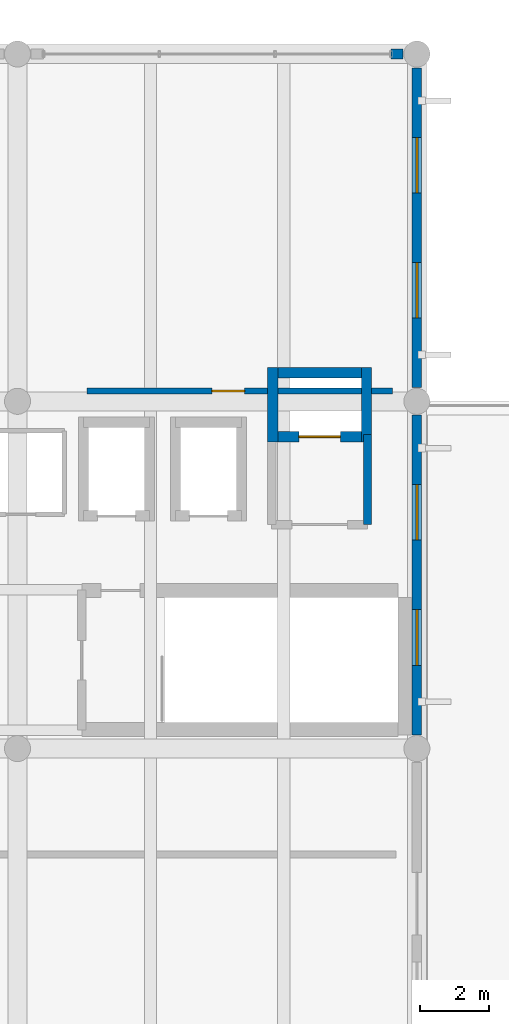
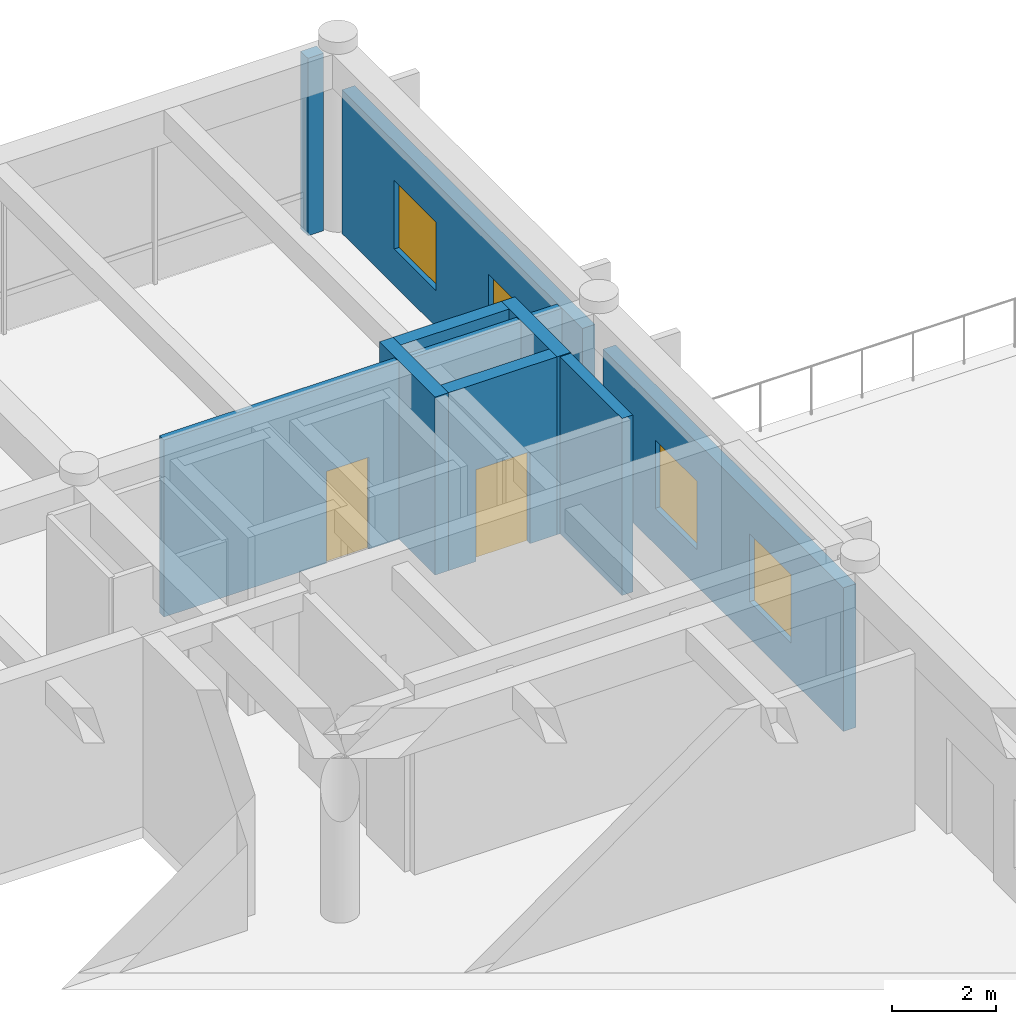
# One storey, part 24 of 27: 9 walls, 4 windows, 2 doors, 6 openings.
"""IFC4 building model written with IfcOpenShell, lengths in metres."""

from ifc_helpers import new_model, si_unit, direction, frame, frame_2d, origin, place, context, subcontext, project, spatial, rectangle, extrude, material, layer, layer_set, type_object, element, fill, save


model = new_model("IFC4")

# Units and contexts
model_context = context("Model", 3, precision=1e-05, world=origin(), true_north=direction((0.0, 1.0)))
body_context = subcontext(model_context, "Body", "Model", "MODEL_VIEW")
ifc_project = project(units=[si_unit("LENGTHUNIT", "METRE"), si_unit("AREAUNIT", "SQUARE_METRE"), si_unit("VOLUMEUNIT", "CUBIC_METRE"), si_unit("PLANEANGLEUNIT", "RADIAN"), si_unit("MASSUNIT", "GRAM", prefix="KILO")], contexts=[model_context])

# Site, building, storey
site_placement = place(None, origin())
site = spatial("IfcSite", under=ifc_project, at=site_placement, CompositionType="ELEMENT")
building_placement = place(site_placement, origin())
building = spatial("IfcBuilding", under=site, at=building_placement, Name="Ologun Quay Terminus", CompositionType="ELEMENT")
storey_placement = place(building_placement, frame((0.0, 0.0, 22.4599609375)))
storey = spatial("IfcBuildingStorey", under=building, at=storey_placement, Name="L05", CompositionType="ELEMENT", Elevation=22.4599609375)

# Wall, openings, windows
ifc_material_1 = material(Name="Concrete C40/50", Category="concrete")
ifc_layer_1 = layer(ifc_material_1, 0.280029296875)
ifc_layer_set_1 = layer_set([ifc_layer_1], Name="Concrete C40/50")
wall_type_1 = type_object("IfcWallType", Name="Courtyard Wing Spandrel Concrete Wall 280", PredefinedType="SOLIDWALL", material=ifc_layer_set_1)
wall_1_placement = place(storey_placement, frame((149.5, 95.195068359375, 0.0), z_axis=(0.0, 0.0, 1.0), x_axis=(0.0, 1.0, 0.0)))
wall_1 = element("IfcWall", 1, at=wall_1_placement, inside=storey, type_object=wall_type_1, Name="EW-02 Facade Wall WEW-EW-L05-5", PredefinedType="SOLIDWALL", context=body_context, shape_type="SweptSolid", body=[
    extrude(rectangle(XDim=9.2099609375, YDim=0.280029296875, at=frame_2d((4.60498046875, 0.0))), origin(), (0.0, 0.0, 1.0), 3.360107421875),
])
opening_1_placement = place(wall_1_placement, frame((2.00341796875, 0.0, 0.85009765625)))
opening_1 = element("IfcOpeningElement", 2, at=opening_1_placement, cuts=wall_1, Name="Opening WN-445", PredefinedType="OPENING", context=body_context, shape_type="SweptSolid", body=[
    extrude(rectangle(XDim=1.60009765625, YDim=1.60009765625, at=frame_2d((0.800048828125, 0.800048828125))), frame((0.0, 0.14990234375, 0.0), z_axis=(0.0, -1.0, 0.0), x_axis=(1.0, 0.0, 0.0)), (0.0, 0.0, 1.0), 0.300048828125),
])
opening_2_placement = place(wall_1_placement, frame((5.606689453125, 0.0, 0.85009765625)))
opening_2 = element("IfcOpeningElement", 3, at=opening_2_placement, cuts=wall_1, Name="Opening WN-446", PredefinedType="OPENING", context=body_context, shape_type="SweptSolid", body=[
    extrude(rectangle(XDim=1.60009765625, YDim=1.60009765625, at=frame_2d((0.800048828125, 0.800048828125))), frame((0.0, 0.14990234375, 0.0), z_axis=(0.0, -1.0, 0.0), x_axis=(1.0, 0.0, 0.0)), (0.0, 0.0, 1.0), 0.300048828125),
])
ifc_material_2 = material(Name="Glass", Category="glass")
window_type = type_object("IfcWindowType", Name="Staff Canteen Casement Window 1600x1600", PartitioningType="SINGLE_PANEL", PredefinedType="WINDOW", material=ifc_material_2)
window_1_placement = place(opening_1_placement, origin())
window_1 = element("IfcWindow", 4, at=window_1_placement, inside=storey, type_object=window_type, Name="W-10 Window WN-445", OverallHeight=1.60009765625, OverallWidth=1.60009765625, PartitioningType="SINGLE_PANEL", PredefinedType="WINDOW", context=body_context, shape_type="SweptSolid", body=[
    extrude(rectangle(XDim=1.60009765625, YDim=1.60009765625, at=frame_2d((0.800048828125, 0.800048828125))), frame((0.0, 0.030029296875, 0.0), z_axis=(0.0, -1.0, 0.0), x_axis=(1.0, 0.0, 0.0)), (0.0, 0.0, 1.0), 0.06005859375),
])
fill(opening_1, window_1)
window_2_placement = place(opening_2_placement, origin())
window_2 = element("IfcWindow", 5, at=window_2_placement, inside=storey, type_object=window_type, Name="W-10 Window WN-446", OverallHeight=1.60009765625, OverallWidth=1.60009765625, PartitioningType="SINGLE_PANEL", PredefinedType="WINDOW", context=body_context, shape_type="SweptSolid", body=[
    extrude(rectangle(XDim=1.60009765625, YDim=1.60009765625, at=frame_2d((0.800048828125, 0.800048828125))), frame((0.0, 0.030029296875, 0.0), z_axis=(0.0, -1.0, 0.0), x_axis=(1.0, 0.0, 0.0)), (0.0, 0.0, 1.0), 0.06005859375),
])
fill(opening_2, window_2)

wall_2_placement = place(storey_placement, frame((149.5, 105.195068359375, 0.0), z_axis=(0.0, 0.0, 1.0), x_axis=(0.0, 1.0, 0.0)))
wall_2 = element("IfcWall", 6, at=wall_2_placement, inside=storey, type_object=wall_type_1, Name="EW-02 Facade Wall WEW-EW-L05-6", PredefinedType="SOLIDWALL", context=body_context, shape_type="SweptSolid", body=[
    extrude(rectangle(XDim=9.2099609375, YDim=0.280029296875, at=frame_2d((4.60498046875, 0.0))), origin(), (0.0, 0.0, 1.0), 3.360107421875),
])
opening_3_placement = place(wall_2_placement, frame((2.00341796875, 0.0, 0.85009765625)))
opening_3 = element("IfcOpeningElement", 7, at=opening_3_placement, cuts=wall_2, Name="Opening WN-447", PredefinedType="OPENING", context=body_context, shape_type="SweptSolid", body=[
    extrude(rectangle(XDim=1.60009765625, YDim=1.60009765625, at=frame_2d((0.800048828125, 0.800048828125))), frame((0.0, 0.14990234375, 0.0), z_axis=(0.0, -1.0, 0.0), x_axis=(1.0, 0.0, 0.0)), (0.0, 0.0, 1.0), 0.300048828125),
])
opening_4_placement = place(wall_2_placement, frame((5.606689453125, 0.0, 0.85009765625)))
opening_4 = element("IfcOpeningElement", 8, at=opening_4_placement, cuts=wall_2, Name="Opening WN-448", PredefinedType="OPENING", context=body_context, shape_type="SweptSolid", body=[
    extrude(rectangle(XDim=1.60009765625, YDim=1.60009765625, at=frame_2d((0.800048828125, 0.800048828125))), frame((0.0, 0.14990234375, 0.0), z_axis=(0.0, -1.0, 0.0), x_axis=(1.0, 0.0, 0.0)), (0.0, 0.0, 1.0), 0.300048828125),
])
window_3_placement = place(opening_3_placement, origin())
window_3 = element("IfcWindow", 9, at=window_3_placement, inside=storey, type_object=window_type, Name="W-10 Window WN-447", OverallHeight=1.60009765625, OverallWidth=1.60009765625, PartitioningType="SINGLE_PANEL", PredefinedType="WINDOW", context=body_context, shape_type="SweptSolid", body=[
    extrude(rectangle(XDim=1.60009765625, YDim=1.60009765625, at=frame_2d((0.800048828125, 0.800048828125))), frame((0.0, 0.030029296875, 0.0), z_axis=(0.0, -1.0, 0.0), x_axis=(1.0, 0.0, 0.0)), (0.0, 0.0, 1.0), 0.06005859375),
])
fill(opening_3, window_3)
window_4_placement = place(opening_4_placement, origin())
window_4 = element("IfcWindow", 10, at=window_4_placement, inside=storey, type_object=window_type, Name="W-10 Window WN-448", OverallHeight=1.60009765625, OverallWidth=1.60009765625, PartitioningType="SINGLE_PANEL", PredefinedType="WINDOW", context=body_context, shape_type="SweptSolid", body=[
    extrude(rectangle(XDim=1.60009765625, YDim=1.60009765625, at=frame_2d((0.800048828125, 0.800048828125))), frame((0.0, 0.030029296875, 0.0), z_axis=(0.0, -1.0, 0.0), x_axis=(1.0, 0.0, 0.0)), (0.0, 0.0, 1.0), 0.06005859375),
])
fill(opening_4, window_4)

# Walls
wall_3_placement = place(storey_placement, frame((148.7548828125, 114.800048828125, 0.0), z_axis=(0.0, 0.0, 1.0), x_axis=(1.0, 0.0, 0.0)))
element("IfcWall", 11, at=wall_3_placement, inside=storey, type_object=wall_type_1, Name="Curtain Wall Jamb Pier CW-L05-155-J2", PredefinedType="SOLIDWALL", context=body_context, shape_type="SweptSolid", body=[
    extrude(rectangle(XDim=0.35009765625, YDim=0.280029296875, at=frame_2d((0.175048828125, 0.0))), origin(), (0.0, 0.0, 1.0), 4.150146484375),
])
ifc_material_3 = material(Name="Concrete C40/50", Category="concrete")
ifc_layer_2 = layer(ifc_material_3, 0.239990234375)
ifc_layer_set_2 = layer_set([ifc_layer_2], Name="Concrete C40/50")
wall_type_2 = type_object("IfcWallType", Name="Fire Compartment Blockwork Wall 240", PredefinedType="SOLIDWALL", material=ifc_layer_set_2)
wall_4_placement = place(storey_placement, frame((148.080078125, 101.25, 0.0), z_axis=(0.0, 0.0, 1.0), x_axis=(0.0, 1.0, 0.0)))
element("IfcWall", 12, at=wall_4_placement, inside=storey, type_object=wall_type_2, Name="PW-01 Partition EFFL-E", PredefinedType="SOLIDWALL", context=body_context, shape_type="SweptSolid", body=[
    extrude(rectangle(XDim=2.60009765625, YDim=0.239990234375, at=frame_2d((1.300048828125, 0.0))), origin(), (0.0, 0.0, 1.0), 4.14013671875),
])

# Wall, opening, door
ifc_material_4 = material(Name="Concrete C40/50", Category="concrete")
ifc_layer_3 = layer(ifc_material_4, 0.300048828125)
ifc_layer_set_3 = layer_set([ifc_layer_3], Name="Concrete C40/50")
wall_type_3 = type_object("IfcWallType", Name="Lift Shaft Structural Shear Wall 300", PredefinedType="SHEAR", material=ifc_layer_set_3)
wall_5_placement = place(storey_placement, frame((145.35009765625, 103.780029296875, 0.0), z_axis=(0.0, 0.0, 1.0), x_axis=(1.0, 0.0, 0.0)))
wall_5 = element("IfcWall", 13, at=wall_5_placement, inside=storey, type_object=wall_type_3, Name="Lift FFL-02 Shaft Wall S L05", PredefinedType="SHEAR", context=body_context, shape_type="SweptSolid", body=[
    extrude(rectangle(XDim=2.699951171875, YDim=0.300048828125, at=frame_2d((1.35009765625, 0.0))), origin(), (0.0, 0.0, 1.0), 4.16015625),
])
opening_5_placement = place(wall_5_placement, frame((0.75, 0.0, 0.0)))
opening_5 = element("IfcOpeningElement", 14, at=opening_5_placement, cuts=wall_5, Name="Opening ID-015", PredefinedType="OPENING", context=body_context, shape_type="SweptSolid", body=[
    extrude(rectangle(XDim=1.199951171875, YDim=2.14990234375, at=frame_2d((0.60009765625, 1.074951171875))), frame((0.0, 0.16015625, 0.0), z_axis=(0.0, -1.0, 0.0), x_axis=(1.0, 0.0, 0.0)), (0.0, 0.0, 1.0), 0.320068359375),
])
ifc_material_5 = material(Name="Steel S355", Category="steel")
door_type_1 = type_object("IfcDoorType", Name="Firefighting Lift Landing Sliding Door 1200x2150", OperationType="SLIDING_TO_RIGHT", PredefinedType="DOOR", material=ifc_material_5)
door_1_placement = place(opening_5_placement, origin())
door_1 = element("IfcDoor", 15, at=door_1_placement, inside=storey, type_object=door_type_1, Name="LD-02 Door ID-015", OperationType="SLIDING_TO_RIGHT", OverallHeight=2.14990234375, OverallWidth=1.199951171875, PredefinedType="DOOR", context=body_context, shape_type="SweptSolid", body=[
    extrude(rectangle(XDim=1.199951171875, YDim=2.14990234375, at=frame_2d((0.60009765625, 1.074951171875))), frame((0.0, 0.02490234375, 0.0), z_axis=(0.0, -1.0, 0.0), x_axis=(1.0, 0.0, 0.0)), (0.0, 0.0, 1.0), 0.050048828125),
])
fill(opening_5, door_1)

# Walls
wall_6_placement = place(storey_placement, frame((145.35009765625, 105.6201171875, 0.0), z_axis=(0.0, 0.0, 1.0), x_axis=(1.0, 0.0, 0.0)))
element("IfcWall", 16, at=wall_6_placement, inside=storey, type_object=wall_type_3, Name="Lift FFL-02 Shaft Wall N L05", PredefinedType="SHEAR", context=body_context, shape_type="SweptSolid", body=[
    extrude(rectangle(XDim=2.699951171875, YDim=0.300048828125, at=frame_2d((1.35009765625, 0.0))), origin(), (0.0, 0.0, 1.0), 4.16015625),
])
for number, where, z_axis, x_axis, name in (
    (17, (145.35009765625, 103.6298828125, 0.0), (0.0, 0.0, 1.0), (0.0, 1.0, 0.0), "Lift FFL-02 Shaft Wall W L05"),
    (18, (148.050048828125, 103.6298828125, 0.0), (0.0, 0.0, 1.0), (0.0, 1.0, 0.0), "Lift FFL-02 Shaft Wall E L05"),
):
    element("IfcWall", number, at=place(storey_placement, frame(where, z_axis=z_axis, x_axis=x_axis)), inside=storey, type_object=wall_type_3, Name=name, PredefinedType="SHEAR", context=body_context, shape_type="SweptSolid", body=[
        extrude(rectangle(XDim=2.14013671875, YDim=0.300048828125, at=frame_2d((1.070068359375, 0.0))), origin(), (0.0, 0.0, 1.0), 4.16015625),
    ])

# Wall, opening, door
ifc_material_6 = material(Name="Gypsum Acoustic Stud")
ifc_layer_4 = layer(ifc_material_6, 0.175048828125)
ifc_layer_set_4 = layer_set([ifc_layer_4], Name="Gypsum Acoustic Stud")
wall_type_4 = type_object("IfcWallType", Name="Operations & Control Acoustic Partition 175", PredefinedType="PARTITIONING", material=ifc_layer_set_4)
wall_7_placement = place(storey_placement, frame((140.0, 105.10009765625, 0.0), z_axis=(0.0, 0.0, 1.0), x_axis=(1.0, 0.0, 0.0)))
wall_7 = element("IfcWall", 19, at=wall_7_placement, inside=storey, type_object=wall_type_4, Name="PW-03 Partition L05-LockerSuite-S", PredefinedType="PARTITIONING", context=body_context, shape_type="SweptSolid", body=[
    extrude(rectangle(XDim=8.800048828125, YDim=0.175048828125, at=frame_2d((4.39990234375, 0.0))), origin(), (0.0, 0.0, 1.0), 4.14013671875),
])
opening_6_placement = place(wall_7_placement, frame((3.60009765625, 0.0, 0.0)))
opening_6 = element("IfcOpeningElement", 20, at=opening_6_placement, cuts=wall_7, Name="Opening ID-339", PredefinedType="OPENING", context=body_context, shape_type="SweptSolid", body=[
    extrude(rectangle(XDim=0.93994140625, YDim=2.14990234375, at=frame_2d((0.469970703125, 1.074951171875))), frame((0.0, 0.09765625, 0.0), z_axis=(0.0, -1.0, 0.0), x_axis=(1.0, 0.0, 0.0)), (0.0, 0.0, 1.0), 0.195068359375),
])
ifc_material_7 = material(Name="Timber Hardwood", Category="wood")
door_type_2 = type_object("IfcDoorType", Name="Quiet Rest Room Acoustic Door 940x2150", OperationType="SINGLE_SWING_LEFT", PredefinedType="DOOR", material=ifc_material_7)
door_2_placement = place(opening_6_placement, origin())
door_2 = element("IfcDoor", 21, at=door_2_placement, inside=storey, type_object=door_type_2, Name="ID-17 Door ID-339", OperationType="SINGLE_SWING_LEFT", OverallHeight=2.14990234375, OverallWidth=0.93994140625, PredefinedType="DOOR", context=body_context, shape_type="SweptSolid", body=[
    extrude(rectangle(XDim=0.93994140625, YDim=2.14990234375, at=frame_2d((0.469970703125, 1.074951171875))), frame((0.0, 0.02490234375, 0.0), z_axis=(0.0, -1.0, 0.0), x_axis=(1.0, 0.0, 0.0)), (0.0, 0.0, 1.0), 0.050048828125),
])
fill(opening_6, door_2)

save(model, "model.ifc")
